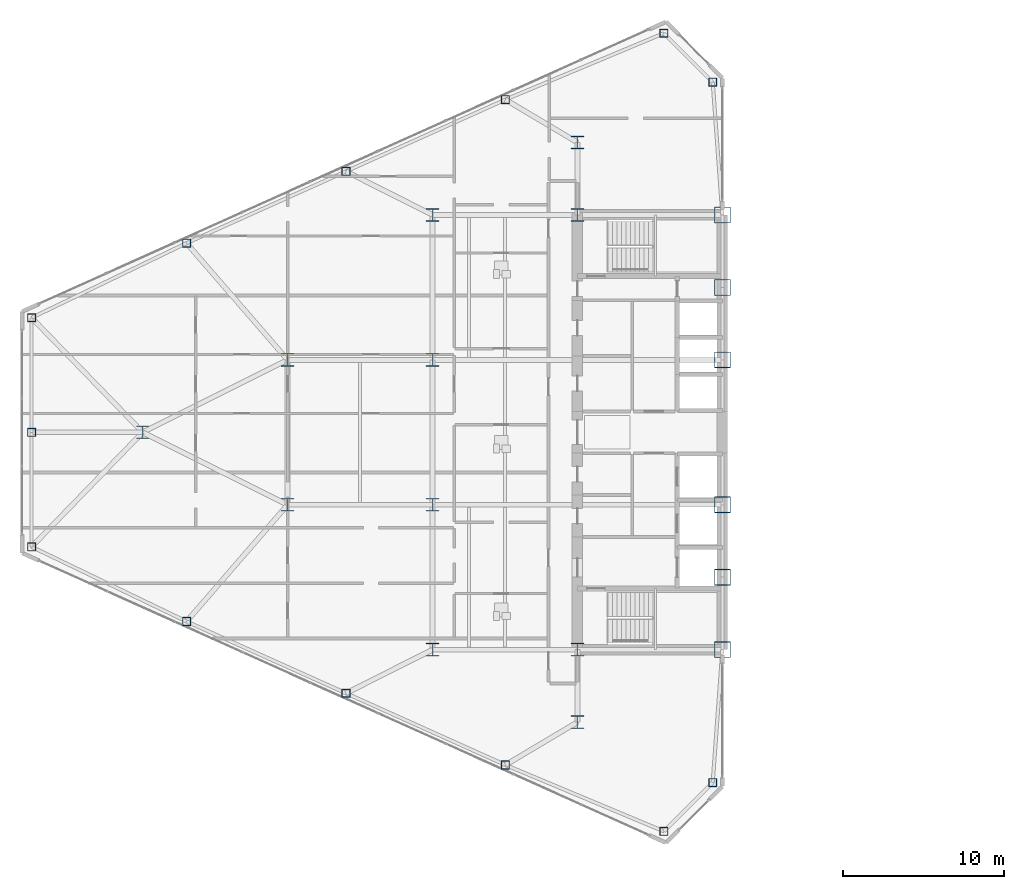
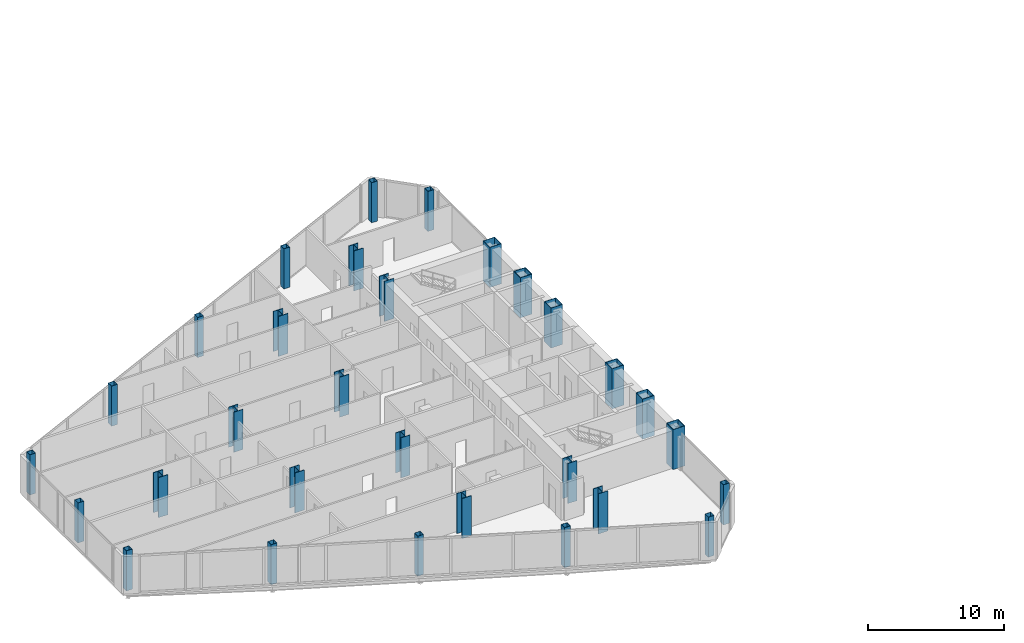
# One storey, part 1 of 27: 30 columns.
"""IFC4 building model written with IfcOpenShell, lengths in metres."""

from ifc_helpers import new_model, si_unit, direction, frame, origin, origin_2d, place, context, subcontext, project, spatial, hollow_rectangle, i_section, extrude, source, transform, mapped, material, material_profile, profile_set, type_object, type_shapes, element, save


model = new_model("IFC4")

# Units and contexts
model_context = context("Model", 3, precision=1e-05, world=origin(), true_north=direction((0.0, 1.0)))
body_context = subcontext(model_context, "Body", "Model", "MODEL_VIEW")
ifc_project = project(units=[si_unit("LENGTHUNIT", "METRE"), si_unit("AREAUNIT", "SQUARE_METRE"), si_unit("VOLUMEUNIT", "CUBIC_METRE"), si_unit("PLANEANGLEUNIT", "RADIAN"), si_unit("MASSUNIT", "GRAM", prefix="KILO")], contexts=[model_context])

# Site, building, storey
site_placement = place(None, origin())
site = spatial("IfcSite", under=ifc_project, at=site_placement, CompositionType="ELEMENT")
building_placement = place(site_placement, origin())
building = spatial("IfcBuilding", under=site, at=building_placement, Name="Seokmaru Belvedere", CompositionType="ELEMENT")
storey_placement = place(building_placement, frame((0.0, 0.0, 92.39990234375)))
storey = spatial("IfcBuildingStorey", under=building, at=storey_placement, Name="L24", CompositionType="ELEMENT", Elevation=92.39990234375)

# Columns
ifc_material_1 = material(Name="Steel SM355 (355 MPa)", Category="steel")
ifc_material_profile_1 = material_profile(ifc_material_1, hollow_rectangle(XDim=0.5, YDim=0.5, WallThickness=0.02001953125, at=origin_2d()), Name="HSS-500x500x20")
ifc_profile_set_1 = profile_set([ifc_material_profile_1], Name="Steel SM355 (355 MPa)")
column_type_1 = type_object("IfcColumnType", Name="Perimeter Facet Column HSS-500", PredefinedType="COLUMN", material=ifc_profile_set_1)
shared_shape_1 = source(origin(), body_context, "Body", "SweptSolid", [
    extrude(hollow_rectangle(XDim=0.5, YDim=0.5, WallThickness=0.02001953125, at=origin_2d()), origin(), (0.0, 0.0, 1.0), 3.60009765625),
])
type_shapes(column_type_1, [shared_shape_1])
for number, where, z_axis, x_axis, name in (
    (1, (-28.10009765625, -21.75146484375, 0.0), (0.0, 0.0, 1.0), (1.0, 0.0, 0.0), "L24 Column WF1"),
    (2, (-28.10009765625, 21.75146484375, 0.0), (0.0, 0.0, 1.0), (1.0, 0.0, 0.0), "L24 Column WF2"),
    (3, (-31.13134765625, 24.782958984375, 0.0), (0.0, 0.0, 1.0), (1.0, 0.0, 0.0), "L24 Column WF3"),
    (4, (-70.39990234375, 7.112060546875, 0.0), (0.0, 0.0, 1.0), (1.0, 0.0, 0.0), "L24 Column WF4"),
    (5, (-70.39990234375, -7.112060546875, 0.0), (0.0, 0.0, 1.0), (1.0, 0.0, 0.0), "L24 Column WF5"),
    (6, (-31.13134765625, -24.782958984375, 0.0), (0.0, 0.0, 1.0), (1.0, 0.0, 0.0), "L24 Column WF6"),
    (7, (-40.97265625, -20.661376953125, 0.0), (0.0, 0.0, 1.0), (1.0, 0.0, 0.0), "L24 Column WFLK_S1"),
    (8, (-50.875, -16.205322265625, 0.0), (0.0, 0.0, 1.0), (1.0, 0.0, 0.0), "L24 Column WFLK_S2"),
    (9, (-60.777587890625, -11.749267578125, 0.0), (0.0, 0.0, 1.0), (1.0, 0.0, 0.0), "L24 Column WFLK_S3"),
    (10, (-40.97265625, 20.661376953125, 0.0), (0.0, 0.0, 1.0), (1.0, 0.0, 0.0), "L24 Column WFLK_N1"),
    (11, (-50.875, 16.205322265625, 0.0), (0.0, 0.0, 1.0), (1.0, 0.0, 0.0), "L24 Column WFLK_N2"),
    (12, (-60.777587890625, 11.749267578125, 0.0), (0.0, 0.0, 1.0), (1.0, 0.0, 0.0), "L24 Column WFLK_N3"),
    (13, (-70.39990234375, 0.0, 0.0), (0.0, 0.0, 1.0), (1.0, 0.0, 0.0), "L24 Column WF_APXM"),
):
    element("IfcColumn", number, at=place(storey_placement, frame(where, z_axis=z_axis, x_axis=x_axis)), inside=storey, type_object=column_type_1, Name=name, PredefinedType="COLUMN", context=body_context, shape_type="MappedRepresentation", body=[
        mapped(shared_shape_1, transform((0.0, 0.0, 0.0), scale=1.0)),
    ])
ifc_material_2 = material(Name="Steel HSA650 (650 MPa)", Category="steel")
ifc_material_profile_2 = material_profile(ifc_material_2, hollow_rectangle(XDim=1.0, YDim=1.0, WallThickness=0.0419921875, at=origin_2d()), Name="BOX-1000x1000x42")
ifc_profile_set_2 = profile_set([ifc_material_profile_2], Name="Steel HSA650 (650 MPa)")
column_type_2 = type_object("IfcColumnType", Name="Portal Spine Column BOX-1000", PredefinedType="COLUMN", material=ifc_profile_set_2)
shared_shape_2 = source(origin(), body_context, "Body", "SweptSolid", [
    extrude(hollow_rectangle(XDim=1.0, YDim=1.0, WallThickness=0.0419921875, at=origin_2d()), origin(), (0.0, 0.0, 1.0), 3.60009765625),
])
type_shapes(column_type_2, [shared_shape_2])
for number, where, z_axis, x_axis, name in (
    (14, (-27.5, -13.5, 0.0), (0.0, 0.0, 1.0), (1.0, 0.0, 0.0), "L24 Column WS1"),
    (15, (-27.5, -9.0, 0.0), (0.0, 0.0, 1.0), (1.0, 0.0, 0.0), "L24 Column WS2"),
    (16, (-27.5, -4.5, 0.0), (0.0, 0.0, 1.0), (1.0, 0.0, 0.0), "L24 Column WS3"),
    (17, (-27.5, 4.5, 0.0), (0.0, 0.0, 1.0), (1.0, 0.0, 0.0), "L24 Column WS4"),
    (18, (-27.5, 9.0, 0.0), (0.0, 0.0, 1.0), (1.0, 0.0, 0.0), "L24 Column WS5"),
    (19, (-27.5, 13.5, 0.0), (0.0, 0.0, 1.0), (1.0, 0.0, 0.0), "L24 Column WS6"),
):
    element("IfcColumn", number, at=place(storey_placement, frame(where, z_axis=z_axis, x_axis=x_axis)), inside=storey, type_object=column_type_2, Name=name, PredefinedType="COLUMN", context=body_context, shape_type="MappedRepresentation", body=[
        mapped(shared_shape_2, transform((0.0, 0.0, 0.0), scale=1.0)),
    ])
ifc_material_profile_3 = material_profile(ifc_material_1, i_section(OverallWidth=0.800048828125, OverallDepth=0.800048828125, WebThickness=0.031982421875, FlangeThickness=0.050048828125, at=origin_2d()), Name="H-800x800x32x50")
ifc_profile_set_3 = profile_set([ifc_material_profile_3], Name="Steel SM355 (355 MPa)")
column_type_3 = type_object("IfcColumnType", Name="Lower-Mid Interior Column H-800", PredefinedType="COLUMN", material=ifc_profile_set_3)
shared_shape_3 = source(origin(), body_context, "Body", "SweptSolid", [
    extrude(i_section(OverallWidth=0.800048828125, OverallDepth=0.800048828125, WebThickness=0.031982421875, FlangeThickness=0.050048828125, at=origin_2d()), origin(), (0.0, 0.0, 1.0), 3.60009765625),
])
type_shapes(column_type_3, [shared_shape_3])
for number, where, z_axis, x_axis, name in (
    (20, (-36.5, -18.0, 0.0), (0.0, 0.0, 1.0), (1.0, 0.0, 0.0), "L24 Column WC1"),
    (21, (-36.5, -13.5, 0.0), (0.0, 0.0, 1.0), (1.0, 0.0, 0.0), "L24 Column WC2"),
    (22, (-36.5, 13.5, 0.0), (0.0, 0.0, 1.0), (1.0, 0.0, 0.0), "L24 Column WC3"),
    (23, (-36.5, 18.0, 0.0), (0.0, 0.0, 1.0), (1.0, 0.0, 0.0), "L24 Column WC4"),
    (24, (-45.5, -13.5, 0.0), (0.0, 0.0, 1.0), (1.0, 0.0, 0.0), "L24 Column WG5_1"),
    (25, (-45.5, -4.5, 0.0), (0.0, 0.0, 1.0), (1.0, 0.0, 0.0), "L24 Column WG5_2"),
    (26, (-45.5, 4.5, 0.0), (0.0, 0.0, 1.0), (1.0, 0.0, 0.0), "L24 Column WG5_3"),
    (27, (-45.5, 13.5, 0.0), (0.0, 0.0, 1.0), (1.0, 0.0, 0.0), "L24 Column WG5_4"),
    (28, (-54.5, -4.5, 0.0), (0.0, 0.0, 1.0), (1.0, 0.0, 0.0), "L24 Column WG4P_1"),
    (29, (-54.5, 4.5, 0.0), (0.0, 0.0, 1.0), (1.0, 0.0, 0.0), "L24 Column WG4P_2"),
    (30, (-63.5, 0.0, 0.0), (0.0, 0.0, 1.0), (1.0, 0.0, 0.0), "L24 Column WG3P_1"),
):
    element("IfcColumn", number, at=place(storey_placement, frame(where, z_axis=z_axis, x_axis=x_axis)), inside=storey, type_object=column_type_3, Name=name, PredefinedType="COLUMN", context=body_context, shape_type="MappedRepresentation", body=[
        mapped(shared_shape_3, transform((0.0, 0.0, 0.0), scale=1.0)),
    ])

save(model, "model.ifc")
